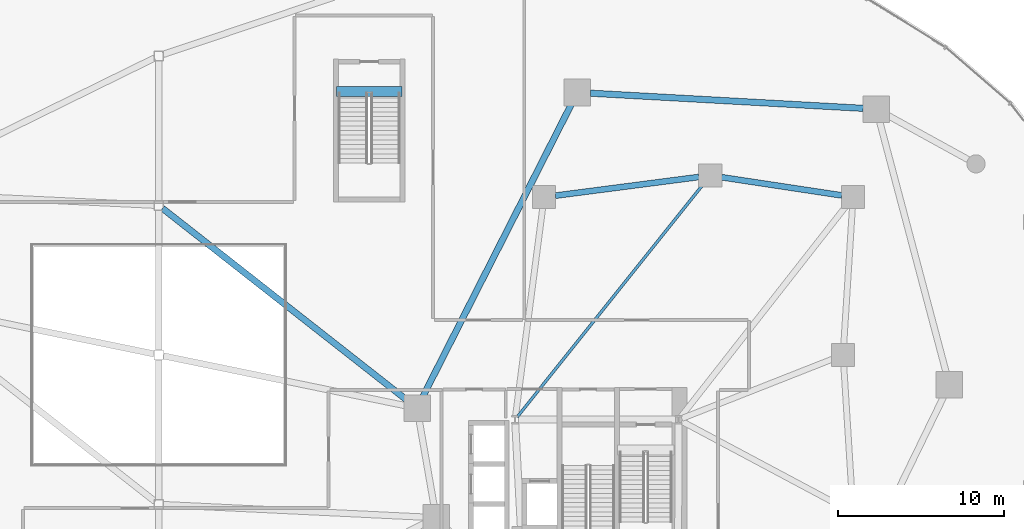
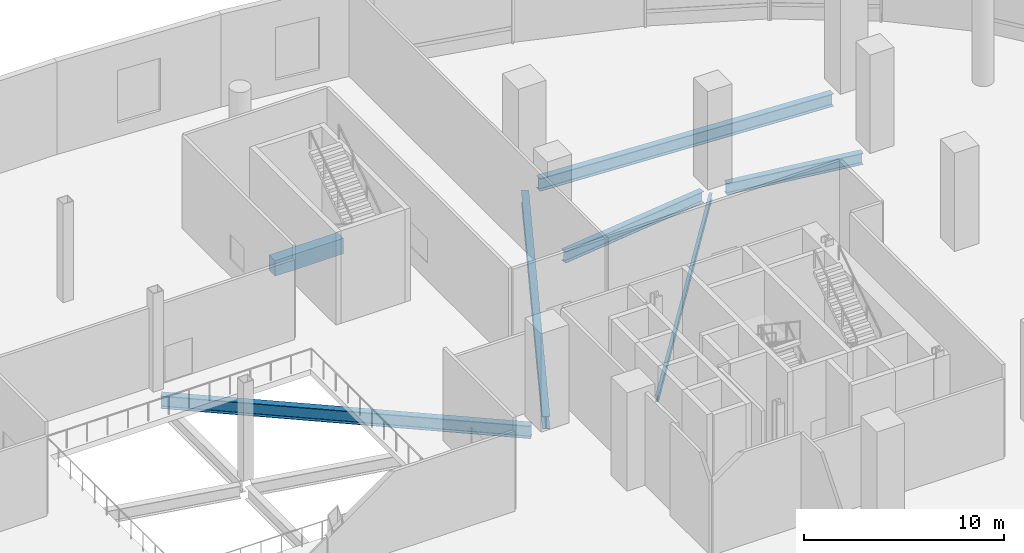
# One storey, part 9 of 20: 7 beams.
"""IFC4 building model written with IfcOpenShell, lengths in metres."""

from ifc_helpers import new_model, si_unit, direction, frame, origin, origin_2d, place, context, subcontext, project, spatial, rectangle, i_section, extrude, material, material_profile, profile_set, type_object, element, save


model = new_model("IFC4")

# Units and contexts
model_context = context("Model", 3, precision=1e-05, world=origin(), true_north=direction((0.0, 1.0)))
body_context = subcontext(model_context, "Body", "Model", "MODEL_VIEW")
ifc_project = project(units=[si_unit("LENGTHUNIT", "METRE"), si_unit("AREAUNIT", "SQUARE_METRE"), si_unit("VOLUMEUNIT", "CUBIC_METRE"), si_unit("PLANEANGLEUNIT", "RADIAN"), si_unit("MASSUNIT", "GRAM", prefix="KILO"), si_unit("THERMODYNAMICTEMPERATUREUNIT", "KELVIN"), si_unit("POWERUNIT", "WATT")], contexts=[model_context])

# Site, building, storey
site_placement = place(None, origin())
site = spatial("IfcSite", under=ifc_project, at=site_placement, CompositionType="ELEMENT")
building_placement = place(site_placement, origin())
building = spatial("IfcBuilding", under=site, at=building_placement, Name="Cundina Bronze Exchange", CompositionType="ELEMENT")
storey_placement = place(building_placement, frame((0.0, 0.0, 6.0)))
storey = spatial("IfcBuildingStorey", under=building, at=storey_placement, Name="L01", CompositionType="ELEMENT", Elevation=6.0)

# Beams
ifc_material_1 = material(Name="Concrete C60/75", Category="concrete")
ifc_material_profile_1 = material_profile(ifc_material_1, rectangle(XDim=0.60009765625, YDim=0.949951171875, at=origin_2d()), Name="RC600X950", Category="concrete")
ifc_profile_set_1 = profile_set([ifc_material_profile_1], Name="Concrete C60/75")
beam_type_1 = type_object("IfcBeamType", Name="BM-COUP-RC950", PredefinedType="LINTEL", material=ifc_profile_set_1)
beam_1_placement = place(storey_placement, frame((10.699951171875, 15.8701171875, -0.47509765625), z_axis=(1.0, 0.0, 0.0), x_axis=(0.0, 1.0, 0.0)))
element("IfcBeam", 1, at=beam_1_placement, inside=storey, type_object=beam_type_1, Name="L01 Concourse Stair E Landing Header Beam", PredefinedType="LINTEL", context=body_context, shape_type="SweptSolid", body=[
    extrude(rectangle(XDim=0.60009765625, YDim=0.949951171875, at=origin_2d()), origin(), (0.0, 0.0, 1.0), 3.93994140625),
])
ifc_material_2 = material(Name="Steel ASTM A992 Grade 50", Category="steel")
ifc_material_profile_2 = material_profile(ifc_material_2, i_section(OverallWidth=0.172119140625, OverallDepth=0.35791015625, WebThickness=0.0078125, FlangeThickness=0.01318359375, FilletRadius=0.010009765625, at=origin_2d()), Name="W14X38", Category="steel")
ifc_profile_set_2 = profile_set([ifc_material_profile_2], Name="Steel ASTM A992 Grade 50")
beam_type_2 = type_object("IfcBeamType", Name="BM-JST-W14", PredefinedType="JOIST", material=ifc_profile_set_2)
beam_2_placement = place(storey_placement, frame((21.577392578125, -3.740478515625, -0.529052734375), z_axis=(0.624374458297, 0.781125172957, 0.0), x_axis=(-0.781125172957, 0.624374458297, 0.0)))
element("IfcBeam", 2, at=beam_2_placement, inside=storey, type_object=beam_type_2, Name="L01 E Interior Core-to-Ring Joist 2", PredefinedType="JOIST", context=body_context, shape_type="SweptSolid", body=[
    extrude(i_section(OverallWidth=0.172119140625, OverallDepth=0.35791015625, WebThickness=0.0078125, FlangeThickness=0.01318359375, FilletRadius=0.010009765625, at=origin_2d()), origin(), (0.0, 0.0, 1.0), 17.927001953125),
])
ifc_material_profile_3 = material_profile(ifc_material_2, i_section(OverallWidth=0.35498046875, OverallDepth=0.695068359375, WebThickness=0.015380859375, FlangeThickness=0.02490234375, FilletRadius=0.01806640625, at=origin_2d()), Name="W27X146", Category="steel")
ifc_profile_set_3 = profile_set([ifc_material_profile_3], Name="Steel ASTM A992 Grade 50")
beam_type_3 = type_object("IfcBeamType", Name="BM-RING-W27", PredefinedType="USERDEFINED", material=ifc_profile_set_3)
beam_3_placement = place(storey_placement, frame((41.11962890625, 9.602783203125, -0.697509765625), z_axis=(-0.988763496177, 0.149488289268, 0.0), x_axis=(-0.149488289268, -0.988763496177, 0.0)))
element("IfcBeam", 3, at=beam_3_placement, inside=storey, type_object=beam_type_3, Name="L01 E Inner Structural Ring Girder 05", ObjectType="GIRDER", PredefinedType="USERDEFINED", context=body_context, shape_type="SweptSolid", body=[
    extrude(i_section(OverallWidth=0.35498046875, OverallDepth=0.695068359375, WebThickness=0.015380859375, FlangeThickness=0.02490234375, FilletRadius=0.01806640625, at=origin_2d()), origin(), (0.0, 0.0, 1.0), 7.321533203125),
])
beam_4_placement = place(storey_placement, frame((32.517578125, 10.711181640625, -0.697509765625), z_axis=(-0.991655975758, -0.128912473185, 0.0), x_axis=(0.128912473185, -0.991655975758, 0.0)))
element("IfcBeam", 4, at=beam_4_placement, inside=storey, type_object=beam_type_3, Name="L01 E Inner Structural Ring Girder 06", ObjectType="GIRDER", PredefinedType="USERDEFINED", context=body_context, shape_type="SweptSolid", body=[
    extrude(i_section(OverallWidth=0.35498046875, OverallDepth=0.695068359375, WebThickness=0.015380859375, FlangeThickness=0.02490234375, FilletRadius=0.01806640625, at=origin_2d()), origin(), (0.0, 0.0, 1.0), 8.7080078125),
])
ifc_material_profile_4 = material_profile(ifc_material_2, i_section(OverallWidth=0.381103515625, OverallDepth=0.77294921875, WebThickness=0.0166015625, FlangeThickness=0.027099609375, FilletRadius=0.01904296875, at=origin_2d()), Name="W30X173", Category="steel")
ifc_profile_set_4 = profile_set([ifc_material_profile_4], Name="Steel ASTM A992 Grade 50")
beam_type_4 = type_object("IfcBeamType", Name="BM-RING-W30", PredefinedType="USERDEFINED", material=ifc_profile_set_4)
beam_5_placement = place(storey_placement, frame((0.2265625, 8.822265625, -0.736572265625), z_axis=(0.786753774413, -0.617266958817, 0.0), x_axis=(0.617266958817, 0.786753774413, 0.0)))
element("IfcBeam", 5, at=beam_5_placement, inside=storey, type_object=beam_type_4, Name="L01 Concourse East Span Girder 04", ObjectType="GIRDER", PredefinedType="USERDEFINED", context=body_context, shape_type="SweptSolid", body=[
    extrude(i_section(OverallWidth=0.381103515625, OverallDepth=0.77294921875, WebThickness=0.0166015625, FlangeThickness=0.027099609375, FilletRadius=0.01904296875, at=origin_2d()), origin(), (0.0, 0.0, 1.0), 18.688720703125),
])
beam_6_placement = place(storey_placement, frame((42.4130859375, 14.84375, -0.736572265625), z_axis=(-0.998460261881, 0.05547166343, 0.0), x_axis=(-0.05547166343, -0.998460261881, 0.0)))
element("IfcBeam", 6, at=beam_6_placement, inside=storey, type_object=beam_type_4, Name="L01 E Podium Ring Girder 10", ObjectType="GIRDER", PredefinedType="USERDEFINED", context=body_context, shape_type="SweptSolid", body=[
    extrude(i_section(OverallWidth=0.381103515625, OverallDepth=0.77294921875, WebThickness=0.0166015625, FlangeThickness=0.027099609375, FilletRadius=0.01904296875, at=origin_2d()), origin(), (0.0, 0.0, 1.0), 16.45166015625),
])
beam_7_placement = place(storey_placement, frame((24.84326171875, 15.097412109375, -0.736572265625), z_axis=(-0.452846100384, -0.891588699663, 0.0), x_axis=(0.891588699663, -0.452846100384, 0.0)))
element("IfcBeam", 7, at=beam_7_placement, inside=storey, type_object=beam_type_4, Name="L01 E Podium Ring Girder 12", ObjectType="GIRDER", PredefinedType="USERDEFINED", context=body_context, shape_type="SweptSolid", body=[
    extrude(i_section(OverallWidth=0.381103515625, OverallDepth=0.77294921875, WebThickness=0.0166015625, FlangeThickness=0.027099609375, FilletRadius=0.01904296875, at=origin_2d()), origin(), (0.0, 0.0, 1.0), 19.734130859375),
])

save(model, "model.ifc")
